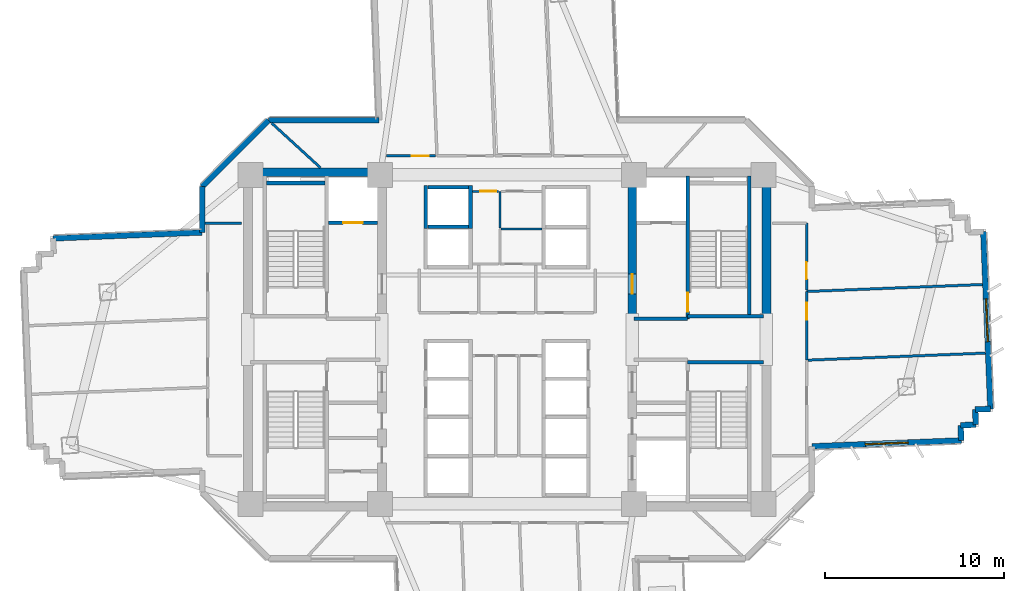
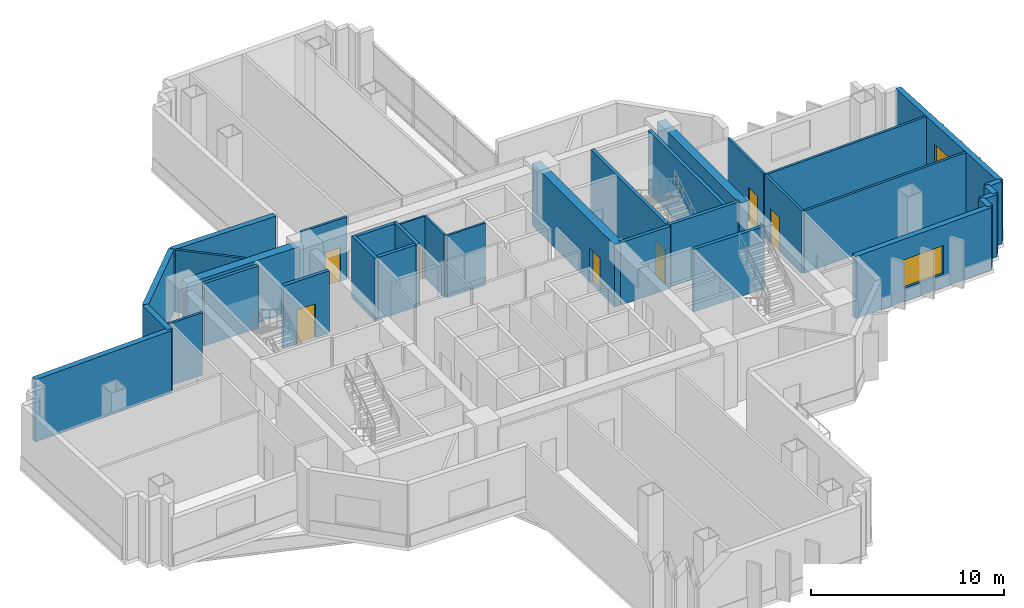
# One storey, part 9 of 16: 34 walls, 7 doors, 2 windows, 9 openings.
"""IFC4 building model written with IfcOpenShell, lengths in metres."""

from ifc_helpers import new_model, si_unit, direction, frame, frame_2d, origin, place, context, subcontext, project, spatial, rectangle, extrude, source, transform, mapped, material, layer, layer_set, type_object, element, fill, save


model = new_model("IFC4")

# Units and contexts
model_context = context("Model", 3, precision=1e-05, world=origin(), true_north=direction((0.0, 1.0)))
body_context = subcontext(model_context, "Body", "Model", "MODEL_VIEW")
ifc_project = project(units=[si_unit("LENGTHUNIT", "METRE"), si_unit("AREAUNIT", "SQUARE_METRE"), si_unit("VOLUMEUNIT", "CUBIC_METRE"), si_unit("PLANEANGLEUNIT", "RADIAN"), si_unit("MASSUNIT", "GRAM", prefix="KILO")], contexts=[model_context])

# Site, building, storey
site_placement = place(None, origin())
site = spatial("IfcSite", under=ifc_project, at=site_placement, CompositionType="ELEMENT")
building_placement = place(site_placement, origin())
building = spatial("IfcBuilding", under=site, at=building_placement, Name="Zahravan Cultural Tower", CompositionType="ELEMENT")
storey_placement = place(building_placement, frame((0.0, 0.0, 58.5)))
storey = spatial("IfcBuildingStorey", under=building, at=storey_placement, Name="L12", CompositionType="ELEMENT", Elevation=58.5)

# Wall, opening, door
ifc_material_1 = material(Name="Concrete C60/75", Category="concrete")
ifc_layer_1 = layer(ifc_material_1, 0.5)
ifc_layer_set_1 = layer_set([ifc_layer_1], Name="Concrete C60/75")
wall_type_1 = type_object("IfcWallType", Name="CW-SHEAR-500-C60", PredefinedType="SHEAR", material=ifc_layer_set_1)
wall_1_placement = place(storey_placement, frame((43.0, 28.050048828125, 0.0), z_axis=(0.0, 0.0, 1.0), x_axis=(0.0, 1.0, 0.0)))
wall_1 = element("IfcWall", 1, at=wall_1_placement, inside=storey, type_object=wall_type_1, Name="L12 Core Shear Wall CW-E-WN-L12", PredefinedType="SHEAR", context=body_context, shape_type="SweptSolid", body=[
    extrude(rectangle(XDim=8.550048828125, YDim=0.5, at=frame_2d((4.27490234375, 0.0))), origin(), (0.0, 0.0, 1.0), 3.949951171875),
])
opening_1_placement = place(wall_1_placement, frame((1.5, 0.0, 0.0)))
opening_1 = element("IfcOpeningElement", 2, at=opening_1_placement, cuts=wall_1, Name="Opening D-L12-06", PredefinedType="OPENING", context=body_context, shape_type="SweptSolid", body=[
    extrude(rectangle(XDim=1.10009765625, YDim=2.199951171875, at=frame_2d((0.550048828125, 1.10009765625))), frame((0.0, 0.260009765625, 0.0), z_axis=(0.0, -1.0, 0.0), x_axis=(1.0, 0.0, 0.0)), (0.0, 0.0, 1.0), 0.52001953125),
])
ifc_material_2 = material(Name="Steel ASTM A572 Grade 50", Category="steel")
door_type_1 = type_object("IfcDoorType", Name="DR-LOBBY-1100", OperationType="NOTDEFINED", PredefinedType="DOOR", material=ifc_material_2)
shared_shape_1 = source(origin(), body_context, "Body", "SweptSolid", [
    extrude(rectangle(XDim=1.10009765625, YDim=2.199951171875, at=frame_2d((0.550048828125, 1.10009765625))), frame((0.0, 0.02490234375, 0.0), z_axis=(0.0, -1.0, 0.0), x_axis=(1.0, 0.0, 0.0)), (0.0, 0.0, 1.0), 0.050048828125),
])
door_1_placement = place(opening_1_placement, origin())
door_1 = element("IfcDoor", 3, at=door_1_placement, inside=storey, type_object=door_type_1, Name="L12 Door D-L12-06", OperationType="SINGLE_SWING_LEFT", OverallHeight=2.199951171875, OverallWidth=1.10009765625, PredefinedType="DOOR", context=body_context, shape_type="MappedRepresentation", body=[
    mapped(shared_shape_1, transform((0.0, 0.0, 0.0), x_axis=(1.0, 0.0, 0.0), y_axis=(0.0, 1.0, 0.0), z_axis=(0.0, 0.0, 1.0), scale=1.0)),
])
fill(opening_1, door_1)

# Wall, opening, window
ifc_material_3 = material(Name="Precast concrete C40/50", Category="concrete")
ifc_layer_2 = layer(ifc_material_3, 0.320068359375)
ifc_layer_set_2 = layer_set([ifc_layer_2], Name="Precast concrete C40/50")
wall_type_2 = type_object("IfcWallType", Name="EW-TC-320", PredefinedType="SOLIDWALL", material=ifc_layer_set_2)
wall_2_placement = place(storey_placement, frame((62.641357421875, 33.024658203125, 0.0), z_axis=(0.0, 0.0, 1.0), x_axis=(0.03977146366, -0.999208802342, 0.0)))
wall_2 = element("IfcWall", 4, at=wall_2_placement, inside=storey, type_object=wall_type_2, Name="L12 Exterior Masonry Frame Wall 06", PredefinedType="SOLIDWALL", context=body_context, shape_type="SweptSolid", body=[
    extrude(rectangle(XDim=9.919921875, YDim=0.320068359375, at=frame_2d((4.9599609375, 0.0))), origin(), (0.0, 0.0, 1.0), 3.949951171875),
])
opening_2_placement = place(wall_2_placement, frame((3.760009765625, 0.0, 0.85009765625)))
opening_2 = element("IfcOpeningElement", 5, at=opening_2_placement, cuts=wall_2, Name="Opening WN-01", PredefinedType="OPENING", context=body_context, shape_type="SweptSolid", body=[
    extrude(rectangle(XDim=2.39990234375, YDim=1.800048828125, at=frame_2d((1.199951171875, 0.89990234375))), frame((0.0, 0.169921875, 0.0), z_axis=(0.0, -1.0, 0.0), x_axis=(1.0, 0.0, 0.0)), (0.0, 0.0, 1.0), 0.340087890625),
])
ifc_material_4 = material(Name="Low-E solar-control double glazing", Category="glass")
window_type = type_object("IfcWindowType", Name="WN-REC-2400X1800", PartitioningType="DOUBLE_PANEL_VERTICAL", PredefinedType="WINDOW", material=ifc_material_4)
shared_shape_2 = source(origin(), body_context, "Body", "SweptSolid", [
    extrude(rectangle(XDim=2.39990234375, YDim=1.800048828125, at=frame_2d((1.199951171875, 0.89990234375))), frame((0.0, 0.030029296875, 0.0), z_axis=(0.0, -1.0, 0.0), x_axis=(1.0, 0.0, 0.0)), (0.0, 0.0, 1.0), 0.06005859375),
])
window_1_placement = place(opening_2_placement, origin())
window_1 = element("IfcWindow", 6, at=window_1_placement, inside=storey, type_object=window_type, Name="L12 Recessed Solar Window 02", OverallHeight=1.800048828125, OverallWidth=2.39990234375, PartitioningType="DOUBLE_PANEL_VERTICAL", PredefinedType="WINDOW", context=body_context, shape_type="MappedRepresentation", body=[
    mapped(shared_shape_2, transform((0.0, 0.0, 0.0), x_axis=(1.0, 0.0, 0.0), y_axis=(0.0, 1.0, 0.0), z_axis=(0.0, 0.0, 1.0), scale=1.0)),
])
fill(opening_2, window_1)

wall_3_placement = place(storey_placement, frame((61.405029296875, 21.34619140625, 0.0), z_axis=(0.0, 0.0, 1.0), x_axis=(-0.999208226989, -0.039785916063, 0.0)))
wall_3 = element("IfcWall", 7, at=wall_3_placement, inside=storey, type_object=wall_type_2, Name="L12 Exterior Masonry Frame Wall 11", PredefinedType="SOLIDWALL", context=body_context, shape_type="SweptSolid", body=[
    extrude(rectangle(XDim=8.3515625, YDim=0.320068359375, at=frame_2d((4.17578125, 0.0))), origin(), (0.0, 0.0, 1.0), 3.949951171875),
])
opening_3_placement = place(wall_3_placement, frame((2.97607421875, 0.0, 0.85009765625)))
opening_3 = element("IfcOpeningElement", 8, at=opening_3_placement, cuts=wall_3, Name="Opening WN-01", PredefinedType="OPENING", context=body_context, shape_type="SweptSolid", body=[
    extrude(rectangle(XDim=2.39990234375, YDim=1.800048828125, at=frame_2d((1.199951171875, 0.89990234375))), frame((0.0, 0.169921875, 0.0), z_axis=(0.0, -1.0, 0.0), x_axis=(1.0, 0.0, 0.0)), (0.0, 0.0, 1.0), 0.340087890625),
])
window_2_placement = place(opening_3_placement, origin())
window_2 = element("IfcWindow", 9, at=window_2_placement, inside=storey, type_object=window_type, Name="L12 Recessed Solar Window 03", OverallHeight=1.800048828125, OverallWidth=2.39990234375, PartitioningType="DOUBLE_PANEL_VERTICAL", PredefinedType="WINDOW", context=body_context, shape_type="MappedRepresentation", body=[
    mapped(shared_shape_2, transform((0.0, 0.0, 0.0), x_axis=(1.0, 0.0, 0.0), y_axis=(0.0, 1.0, 0.0), z_axis=(0.0, 0.0, 1.0), scale=1.0)),
])
fill(opening_3, window_2)

# Wall, opening, door
ifc_material_5 = material(Name="Gypsum plasterboard partition")
ifc_layer_3 = layer(ifc_material_5, 0.139892578125)
ifc_layer_set_3 = layer_set([ifc_layer_3], Name="Gypsum plasterboard partition")
wall_type_3 = type_object("IfcWallType", Name="W-PART-140", PredefinedType="PARTITIONING", material=ifc_layer_set_3)
wall_4_placement = place(storey_placement, frame((52.75, 25.83544921875, 0.0), z_axis=(0.0, 0.0, 1.0), x_axis=(0.0, 1.0, 0.0)))
wall_4 = element("IfcWall", 10, at=wall_4_placement, inside=storey, type_object=wall_type_3, Name="L12 Interior Wall 091", PredefinedType="PARTITIONING", context=body_context, shape_type="SweptSolid", body=[
    extrude(rectangle(XDim=3.843017578125, YDim=0.139892578125, at=frame_2d((1.92138671875, 0.0))), origin(), (0.0, 0.0, 1.0), 3.949951171875),
])
opening_4_placement = place(wall_4_placement, frame((2.256591796875, 0.0, 0.0)))
opening_4 = element("IfcOpeningElement", 11, at=opening_4_placement, cuts=wall_4, Name="Opening D-L12-22", PredefinedType="OPENING", context=body_context, shape_type="SweptSolid", body=[
    extrude(rectangle(XDim=0.949951171875, YDim=2.14990234375, at=frame_2d((0.47509765625, 1.074951171875))), frame((0.0, 0.079833984375, 0.0), z_axis=(0.0, -1.0, 0.0), x_axis=(1.0, 0.0, 0.0)), (0.0, 0.0, 1.0), 0.159912109375),
])
ifc_material_6 = material(Name="Anodised bronze-aluminium mullion", Category="aluminium")
door_type_2 = type_object("IfcDoorType", Name="DR-ROOM-950", OperationType="NOTDEFINED", PredefinedType="DOOR", material=ifc_material_6)
shared_shape_3 = source(origin(), body_context, "Body", "SweptSolid", [
    extrude(rectangle(XDim=0.949951171875, YDim=2.14990234375, at=frame_2d((0.47509765625, 1.074951171875))), frame((0.0, 0.02490234375, 0.0), z_axis=(0.0, -1.0, 0.0), x_axis=(1.0, 0.0, 0.0)), (0.0, 0.0, 1.0), 0.050048828125),
])
door_2_placement = place(opening_4_placement, origin())
door_2 = element("IfcDoor", 12, at=door_2_placement, inside=storey, type_object=door_type_2, Name="L12 Door D-L12-22", OperationType="SINGLE_SWING_LEFT", OverallHeight=2.14990234375, OverallWidth=0.949951171875, PredefinedType="DOOR", context=body_context, shape_type="MappedRepresentation", body=[
    mapped(shared_shape_3, transform((0.0, 0.0, 0.0), x_axis=(1.0, 0.0, 0.0), y_axis=(0.0, 1.0, 0.0), z_axis=(0.0, 0.0, 1.0), scale=1.0)),
])
fill(opening_4, door_2)

wall_5_placement = place(storey_placement, frame((32.003662109375, 37.260009765625, 0.0), z_axis=(0.0, 0.0, 1.0), x_axis=(-0.999999996048, -8.8904694e-05, 0.0)))
wall_5 = element("IfcWall", 13, at=wall_5_placement, inside=storey, type_object=wall_type_3, Name="L12 Interior Wall 112", PredefinedType="PARTITIONING", context=body_context, shape_type="SweptSolid", body=[
    extrude(rectangle(XDim=2.74609375, YDim=0.139892578125, at=frame_2d((1.373046875, 0.0))), origin(), (0.0, 0.0, 1.0), 3.949951171875),
])
opening_5_placement = place(wall_5_placement, frame((0.39501953125, 0.0, 0.0)))
opening_5 = element("IfcOpeningElement", 14, at=opening_5_placement, cuts=wall_5, Name="Opening D-L12-27", PredefinedType="OPENING", context=body_context, shape_type="SweptSolid", body=[
    extrude(rectangle(XDim=0.949951171875, YDim=2.14990234375, at=frame_2d((0.47509765625, 1.074951171875))), frame((0.0, 0.079833984375, 0.0), z_axis=(0.0, -1.0, 0.0), x_axis=(1.0, 0.0, 0.0)), (0.0, 0.0, 1.0), 0.159912109375),
])
door_3_placement = place(opening_5_placement, origin())
door_3 = element("IfcDoor", 15, at=door_3_placement, inside=storey, type_object=door_type_2, Name="L12 Door D-L12-27", OperationType="SINGLE_SWING_RIGHT", OverallHeight=2.14990234375, OverallWidth=0.949951171875, PredefinedType="DOOR", context=body_context, shape_type="MappedRepresentation", body=[
    mapped(shared_shape_3, transform((0.0, 0.0, 0.0), x_axis=(1.0, 0.0, 0.0), y_axis=(0.0, 1.0, 0.0), z_axis=(0.0, 0.0, 1.0), scale=1.0)),
])
fill(opening_5, door_3)

wall_6_placement = place(storey_placement, frame((52.75, 29.75341796875, 0.0), z_axis=(0.0, 0.0, 1.0), x_axis=(-0.000326030238, 0.999999946852, 0.0)))
wall_6 = element("IfcWall", 16, at=wall_6_placement, inside=storey, type_object=wall_type_3, Name="L12 Interior Wall 119", PredefinedType="PARTITIONING", context=body_context, shape_type="SweptSolid", body=[
    extrude(rectangle(XDim=3.744140625, YDim=0.139892578125, at=frame_2d((1.8720703125, 0.0))), origin(), (0.0, 0.0, 1.0), 3.949951171875),
])
opening_6_placement = place(wall_6_placement, frame((0.61474609375, 0.0, 0.0)))
opening_6 = element("IfcOpeningElement", 17, at=opening_6_placement, cuts=wall_6, Name="Opening D-L12-23", PredefinedType="OPENING", context=body_context, shape_type="SweptSolid", body=[
    extrude(rectangle(XDim=0.949951171875, YDim=2.14990234375, at=frame_2d((0.47509765625, 1.074951171875))), frame((0.0, 0.079833984375, 0.0), z_axis=(0.0, -1.0, 0.0), x_axis=(1.0, 0.0, 0.0)), (0.0, 0.0, 1.0), 0.159912109375),
])
door_4_placement = place(opening_6_placement, origin())
door_4 = element("IfcDoor", 18, at=door_4_placement, inside=storey, type_object=door_type_2, Name="L12 Door D-L12-23", OperationType="SINGLE_SWING_RIGHT", OverallHeight=2.14990234375, OverallWidth=0.949951171875, PredefinedType="DOOR", context=body_context, shape_type="MappedRepresentation", body=[
    mapped(shared_shape_3, transform((0.0, 0.0, 0.0), x_axis=(1.0, 0.0, 0.0), y_axis=(0.0, 1.0, 0.0), z_axis=(0.0, 0.0, 1.0), scale=1.0)),
])
fill(opening_6, door_4)

ifc_material_7 = material(Name="Concrete C45/55", Category="concrete")
ifc_layer_4 = layer(ifc_material_7, 0.199951171875)
ifc_layer_set_4 = layer_set([ifc_layer_4], Name="Concrete C45/55")
wall_type_4 = type_object("IfcWallType", Name="W-SHAFT-200", PredefinedType="SOLIDWALL", material=ifc_layer_set_4)
wall_7_placement = place(storey_placement, frame((46.10009765625, 28.14990234375, 0.0), z_axis=(0.0, 0.0, 1.0), x_axis=(0.0, 1.0, 0.0)))
wall_7 = element("IfcWall", 19, at=wall_7_placement, inside=storey, type_object=wall_type_4, Name="L12 Interior Wall 008", PredefinedType="SOLIDWALL", context=body_context, shape_type="SweptSolid", body=[
    extrude(rectangle(XDim=8.0, YDim=0.199951171875, at=frame_2d((4.0, 0.0))), origin(), (0.0, 0.0, 1.0), 3.949951171875),
])
opening_7_placement = place(wall_7_placement, frame((0.39990234375, 0.0, 0.0)))
opening_7 = element("IfcOpeningElement", 20, at=opening_7_placement, cuts=wall_7, Name="Opening D-L12-02", PredefinedType="OPENING", context=body_context, shape_type="SweptSolid", body=[
    extrude(rectangle(XDim=1.050048828125, YDim=2.14990234375, at=frame_2d((0.52490234375, 1.074951171875))), frame((0.0, 0.10986328125, 0.0), z_axis=(0.0, -1.0, 0.0), x_axis=(1.0, 0.0, 0.0)), (0.0, 0.0, 1.0), 0.219970703125),
])
door_type_3 = type_object("IfcDoorType", Name="DR-STAIR-1050", OperationType="NOTDEFINED", PredefinedType="DOOR", material=ifc_material_2)
shared_shape_4 = source(origin(), body_context, "Body", "SweptSolid", [
    extrude(rectangle(XDim=1.050048828125, YDim=2.14990234375, at=frame_2d((0.52490234375, 1.074951171875))), frame((0.0, 0.02490234375, 0.0), z_axis=(0.0, -1.0, 0.0), x_axis=(1.0, 0.0, 0.0)), (0.0, 0.0, 1.0), 0.050048828125),
])
door_5_placement = place(opening_7_placement, origin())
door_5 = element("IfcDoor", 21, at=door_5_placement, inside=storey, type_object=door_type_3, Name="L12 Door D-L12-02", OperationType="SINGLE_SWING_LEFT", OverallHeight=2.14990234375, OverallWidth=1.050048828125, PredefinedType="DOOR", context=body_context, shape_type="MappedRepresentation", body=[
    mapped(shared_shape_4, transform((0.0, 0.0, 0.0), x_axis=(1.0, 0.0, 0.0), y_axis=(0.0, 1.0, 0.0), z_axis=(0.0, 0.0, 1.0), scale=1.0)),
])
fill(opening_7, door_5)

wall_8_placement = place(storey_placement, frame((26.0, 33.52001953125, 0.0), z_axis=(0.0, 0.0, 1.0), x_axis=(1.0, 0.0, 0.0)))
wall_8 = element("IfcWall", 22, at=wall_8_placement, inside=storey, type_object=wall_type_4, Name="L12 Interior Wall 021", PredefinedType="SOLIDWALL", context=body_context, shape_type="SweptSolid", body=[
    extrude(rectangle(XDim=2.75, YDim=0.199951171875, at=frame_2d((1.375, 0.0))), origin(), (0.0, 0.0, 1.0), 3.949951171875),
])
opening_8_placement = place(wall_8_placement, frame((0.820068359375, 0.0, 0.0)))
opening_8 = element("IfcOpeningElement", 23, at=opening_8_placement, cuts=wall_8, Name="Opening LD-L12-01", PredefinedType="OPENING", context=body_context, shape_type="SweptSolid", body=[
    extrude(rectangle(XDim=1.10009765625, YDim=2.14990234375, at=frame_2d((0.550048828125, 1.074951171875))), frame((0.0, 0.10986328125, 0.0), z_axis=(0.0, -1.0, 0.0), x_axis=(1.0, 0.0, 0.0)), (0.0, 0.0, 1.0), 0.219970703125),
])
door_type_4 = type_object("IfcDoorType", Name="DR-LIFT-1100", OperationType="DOUBLE_DOOR_SLIDING", PredefinedType="DOOR", material=ifc_material_2)
shared_shape_5 = source(origin(), body_context, "Body", "SweptSolid", [
    extrude(rectangle(XDim=1.10009765625, YDim=2.14990234375, at=frame_2d((0.550048828125, 1.074951171875))), frame((0.0, 0.02490234375, 0.0), z_axis=(0.0, -1.0, 0.0), x_axis=(1.0, 0.0, 0.0)), (0.0, 0.0, 1.0), 0.050048828125),
])
door_6_placement = place(opening_8_placement, origin())
door_6 = element("IfcDoor", 24, at=door_6_placement, inside=storey, type_object=door_type_4, Name="L12 Door LD-L12-01", OperationType="DOUBLE_DOOR_SLIDING", OverallHeight=2.14990234375, OverallWidth=1.10009765625, PredefinedType="DOOR", context=body_context, shape_type="MappedRepresentation", body=[
    mapped(shared_shape_5, transform((0.0, 0.0, 0.0), x_axis=(1.0, 0.0, 0.0), y_axis=(0.0, 1.0, 0.0), z_axis=(0.0, 0.0, 1.0), scale=1.0)),
])
fill(opening_8, door_6)

ifc_layer_5 = layer(ifc_material_5, 0.114990234375)
ifc_layer_set_5 = layer_set([ifc_layer_5], Name="Gypsum plasterboard partition")
wall_type_5 = type_object("IfcWallType", Name="W-WC-115", PredefinedType="PARTITIONING", material=ifc_layer_set_5)
wall_9_placement = place(storey_placement, frame((34.054931640625, 35.280029296875, 0.0), z_axis=(0.0, 0.0, 1.0), x_axis=(1.0, 0.0, 0.0)))
wall_9 = element("IfcWall", 25, at=wall_9_placement, inside=storey, type_object=wall_type_5, Name="L12 Interior Wall 075", PredefinedType="PARTITIONING", context=body_context, shape_type="SweptSolid", body=[
    extrude(rectangle(XDim=1.47265625, YDim=0.114990234375, at=frame_2d((0.736328125, 0.0))), origin(), (0.0, 0.0, 1.0), 3.949951171875),
])
opening_9_placement = place(wall_9_placement, frame((0.4326171875, 0.0, 0.0)))
opening_9 = element("IfcOpeningElement", 26, at=opening_9_placement, cuts=wall_9, Name="Opening D-L12-13", PredefinedType="OPENING", context=body_context, shape_type="SweptSolid", body=[
    extrude(rectangle(XDim=0.89990234375, YDim=2.10009765625, at=frame_2d((0.449951171875, 1.050048828125))), frame((0.0, 0.0673828125, 0.0), z_axis=(0.0, -1.0, 0.0), x_axis=(1.0, 0.0, 0.0)), (0.0, 0.0, 1.0), 0.135009765625),
])
door_type_5 = type_object("IfcDoorType", Name="DR-WC-900", OperationType="NOTDEFINED", PredefinedType="DOOR", material=ifc_material_6)
shared_shape_6 = source(origin(), body_context, "Body", "SweptSolid", [
    extrude(rectangle(XDim=0.89990234375, YDim=2.10009765625, at=frame_2d((0.449951171875, 1.050048828125))), frame((0.0, 0.02490234375, 0.0), z_axis=(0.0, -1.0, 0.0), x_axis=(1.0, 0.0, 0.0)), (0.0, 0.0, 1.0), 0.050048828125),
])
door_7_placement = place(opening_9_placement, origin())
door_7 = element("IfcDoor", 27, at=door_7_placement, inside=storey, type_object=door_type_5, Name="L12 Door D-L12-13", OperationType="SINGLE_SWING_RIGHT", OverallHeight=2.10009765625, OverallWidth=0.89990234375, PredefinedType="DOOR", context=body_context, shape_type="MappedRepresentation", body=[
    mapped(shared_shape_6, transform((0.0, 0.0, 0.0), x_axis=(1.0, 0.0, 0.0), y_axis=(0.0, 1.0, 0.0), z_axis=(0.0, 0.0, 1.0), scale=1.0)),
])
fill(opening_9, door_7)

# Walls
shared_shape_7 = source(origin(), body_context, "Body", "SweptSolid", [
    extrude(rectangle(XDim=8.550048828125, YDim=0.5, at=frame_2d((4.27490234375, 0.0))), origin(), (0.0, 0.0, 1.0), 3.949951171875),
])
wall_10_placement = place(storey_placement, frame((50.5, 28.050048828125, 0.0), z_axis=(0.0, 0.0, 1.0), x_axis=(0.0, 1.0, 0.0)))
element("IfcWall", 28, at=wall_10_placement, inside=storey, type_object=wall_type_1, Name="L12 Core Shear Wall CW-E-EN-L12", PredefinedType="SHEAR", context=body_context, shape_type="MappedRepresentation", body=[
    mapped(shared_shape_7, transform((0.0, 0.0, 0.0), x_axis=(1.0, 0.0, 0.0), y_axis=(0.0, 1.0, 0.0), z_axis=(0.0, 0.0, 1.0), scale=1.0)),
])
shared_shape_8 = source(origin(), body_context, "Body", "SweptSolid", [
    extrude(rectangle(XDim=7.0, YDim=0.5, at=frame_2d((3.5, 0.0))), origin(), (0.0, 0.0, 1.0), 3.949951171875),
])
wall_11_placement = place(storey_placement, frame((21.75, 36.35009765625, 0.0), z_axis=(0.0, 0.0, 1.0), x_axis=(1.0, 0.0, 0.0)))
element("IfcWall", 29, at=wall_11_placement, inside=storey, type_object=wall_type_1, Name="L12 Core Shear Wall CW-W-N-L12", PredefinedType="SHEAR", context=body_context, shape_type="MappedRepresentation", body=[
    mapped(shared_shape_8, transform((0.0, 0.0, 0.0), x_axis=(1.0, 0.0, 0.0), y_axis=(0.0, 1.0, 0.0), z_axis=(0.0, 0.0, 1.0), scale=1.0)),
])
shared_shape_9 = source(origin(), body_context, "Body", "SweptSolid", [
    extrude(rectangle(XDim=0.849853515625, YDim=0.320068359375, at=frame_2d((0.4248046875, 0.0))), origin(), (0.0, 0.0, 1.0), 3.949951171875),
])
wall_12_placement = place(storey_placement, frame((63.035888671875, 23.112548828125, 0.0), z_axis=(0.0, 0.0, 1.0), x_axis=(-0.999202334929, -0.039933618331, 0.0)))
element("IfcWall", 30, at=wall_12_placement, inside=storey, type_object=wall_type_2, Name="L12 Exterior Masonry Frame Wall 07", PredefinedType="SOLIDWALL", context=body_context, shape_type="MappedRepresentation", body=[
    mapped(shared_shape_9, transform((0.0, 0.0, 0.0), x_axis=(1.0, 0.0, 0.0), y_axis=(0.0, 1.0, 0.0), z_axis=(0.0, 0.0, 1.0), scale=1.0)),
])
shared_shape_10 = source(origin(), body_context, "Body", "SweptSolid", [
    extrude(rectangle(XDim=0.85009765625, YDim=0.320068359375, at=frame_2d((0.425048828125, 0.0))), origin(), (0.0, 0.0, 1.0), 3.949951171875),
])
for number, where, z_axis, x_axis, name in (
    (31, (62.186767578125, 23.07861328125, 0.0), (0.0, 0.0, 1.0), (0.039635401209, -0.999214208752, 0.0), "L12 Exterior Masonry Frame Wall 08"),
    (32, (62.220458984375, 22.229248046875, 0.0), (0.0, 0.0, 1.0), (-0.999214208752, -0.039635401209, 0.0), "L12 Exterior Masonry Frame Wall 09"),
    (33, (61.37109375, 22.195556640625, 0.0), (0.0, 0.0, 1.0), (0.039922158152, -0.999202792875, 0.0), "L12 Exterior Masonry Frame Wall 10"),
):
    element("IfcWall", number, at=place(storey_placement, frame(where, z_axis=z_axis, x_axis=x_axis)), inside=storey, type_object=wall_type_2, Name=name, PredefinedType="SOLIDWALL", context=body_context, shape_type="MappedRepresentation", body=[
        mapped(shared_shape_10, transform((0.0, 0.0, 0.0), x_axis=(1.0, 0.0, 0.0), y_axis=(0.0, 1.0, 0.0), z_axis=(0.0, 0.0, 1.0), scale=1.0)),
    ])
shared_shape_11 = source(origin(), body_context, "Body", "SweptSolid", [
    extrude(rectangle(XDim=5.258056640625, YDim=0.320068359375, at=frame_2d((2.62890625, 0.0))), origin(), (0.0, 0.0, 1.0), 3.949951171875),
])
wall_13_placement = place(storey_placement, frame((18.93994140625, 35.5419921875, 0.0), z_axis=(0.0, 0.0, 1.0), x_axis=(0.707106781187, 0.707106781187, 0.0)))
element("IfcWall", 34, at=wall_13_placement, inside=storey, type_object=wall_type_2, Name="L12 Exterior Masonry Frame Wall 40", PredefinedType="SOLIDWALL", context=body_context, shape_type="MappedRepresentation", body=[
    mapped(shared_shape_11, transform((0.0, 0.0, 0.0), x_axis=(1.0, 0.0, 0.0), y_axis=(0.0, 1.0, 0.0), z_axis=(0.0, 0.0, 1.0), scale=1.0)),
])
shared_shape_12 = source(origin(), body_context, "Body", "SweptSolid", [
    extrude(rectangle(XDim=2.555908203125, YDim=0.320068359375, at=frame_2d((1.27783203125, 0.0))), origin(), (0.0, 0.0, 1.0), 3.949951171875),
])
wall_14_placement = place(storey_placement, frame((18.93994140625, 32.986083984375, 0.0), z_axis=(0.0, 0.0, 1.0), x_axis=(0.0, 1.0, 0.0)))
element("IfcWall", 35, at=wall_14_placement, inside=storey, type_object=wall_type_2, Name="L12 Exterior Masonry Frame Wall 39", PredefinedType="SOLIDWALL", context=body_context, shape_type="MappedRepresentation", body=[
    mapped(shared_shape_12, transform((0.0, 0.0, 0.0), x_axis=(1.0, 0.0, 0.0), y_axis=(0.0, 1.0, 0.0), z_axis=(0.0, 0.0, 1.0), scale=1.0)),
])
shared_shape_13 = source(origin(), body_context, "Body", "SweptSolid", [
    extrude(rectangle(XDim=8.3515625, YDim=0.320068359375, at=frame_2d((4.17578125, 0.0))), origin(), (0.0, 0.0, 1.0), 3.949951171875),
])
wall_15_placement = place(storey_placement, frame((10.594970703125, 32.65380859375, 0.0), z_axis=(0.0, 0.0, 1.0), x_axis=(0.999208226989, 0.039785916063, 0.0)))
element("IfcWall", 36, at=wall_15_placement, inside=storey, type_object=wall_type_2, Name="L12 Exterior Masonry Frame Wall 38", PredefinedType="SOLIDWALL", context=body_context, shape_type="MappedRepresentation", body=[
    mapped(shared_shape_13, transform((0.0, 0.0, 0.0), x_axis=(1.0, 0.0, 0.0), y_axis=(0.0, 1.0, 0.0), z_axis=(0.0, 0.0, 1.0), scale=1.0)),
])
shared_shape_14 = source(origin(), body_context, "Body", "SweptSolid", [
    extrude(rectangle(XDim=6.188720703125, YDim=0.320068359375, at=frame_2d((3.09423828125, 0.0))), origin(), (0.0, 0.0, 1.0), 3.949951171875),
])
wall_16_placement = place(storey_placement, frame((22.657958984375, 39.260009765625, 0.0), z_axis=(0.0, 0.0, 1.0), x_axis=(1.0, 0.0, 0.0)))
element("IfcWall", 37, at=wall_16_placement, inside=storey, type_object=wall_type_2, Name="L12 Exterior Masonry Frame Wall 41", PredefinedType="SOLIDWALL", context=body_context, shape_type="MappedRepresentation", body=[
    mapped(shared_shape_14, transform((0.0, 0.0, 0.0), x_axis=(1.0, 0.0, 0.0), y_axis=(0.0, 1.0, 0.0), z_axis=(0.0, 0.0, 1.0), scale=1.0)),
])
shared_shape_15 = source(origin(), body_context, "Body", "SweptSolid", [
    extrude(rectangle(XDim=7.869873046875, YDim=0.199951171875, at=frame_2d((3.93505859375, 0.0))), origin(), (0.0, 0.0, 1.0), 3.949951171875),
])
wall_17_placement = place(storey_placement, frame((49.550048828125, 28.280029296875, 0.0), z_axis=(0.0, 0.0, 1.0), x_axis=(0.0, 1.0, 0.0)))
element("IfcWall", 38, at=wall_17_placement, inside=storey, type_object=wall_type_4, Name="L12 Interior Wall 004", PredefinedType="SOLIDWALL", context=body_context, shape_type="MappedRepresentation", body=[
    mapped(shared_shape_15, transform((0.0, 0.0, 0.0), x_axis=(1.0, 0.0, 0.0), y_axis=(0.0, 1.0, 0.0), z_axis=(0.0, 0.0, 1.0), scale=1.0)),
])
shared_shape_16 = source(origin(), body_context, "Body", "SweptSolid", [
    extrude(rectangle(XDim=4.25, YDim=0.199951171875, at=frame_2d((2.125, 0.0))), origin(), (0.0, 0.0, 1.0), 3.949951171875),
])
for number, where, z_axis, x_axis, name in (
    (39, (46.10009765625, 25.715087890625, 0.0), (0.0, 0.0, 1.0), (1.0, 0.0, 0.0), "L12 Interior Wall 014"),
    (40, (46.10009765625, 28.284912109375, 0.0), (0.0, 0.0, 1.0), (1.0, 0.0, 0.0), "L12 Interior Wall 016"),
):
    element("IfcWall", number, at=place(storey_placement, frame(where, z_axis=z_axis, x_axis=x_axis)), inside=storey, type_object=wall_type_4, Name=name, PredefinedType="SOLIDWALL", context=body_context, shape_type="MappedRepresentation", body=[
        mapped(shared_shape_16, transform((0.0, 0.0, 0.0), x_axis=(1.0, 0.0, 0.0), y_axis=(0.0, 1.0, 0.0), z_axis=(0.0, 0.0, 1.0), scale=1.0)),
    ])
shared_shape_17 = source(origin(), body_context, "Body", "SweptSolid", [
    extrude(rectangle(XDim=3.0, YDim=0.199951171875, at=frame_2d((1.5, 0.0))), origin(), (0.0, 0.0, 1.0), 3.949951171875),
])
wall_18_placement = place(storey_placement, frame((43.10009765625, 28.14990234375, 0.0), z_axis=(0.0, 0.0, 1.0), x_axis=(1.0, 0.0, 0.0)))
element("IfcWall", 41, at=wall_18_placement, inside=storey, type_object=wall_type_4, Name="L12 Interior Wall 015", PredefinedType="SOLIDWALL", context=body_context, shape_type="MappedRepresentation", body=[
    mapped(shared_shape_17, transform((0.0, 0.0, 0.0), x_axis=(1.0, 0.0, 0.0), y_axis=(0.0, 1.0, 0.0), z_axis=(0.0, 0.0, 1.0), scale=1.0)),
])
shared_shape_18 = source(origin(), body_context, "Body", "SweptSolid", [
    extrude(rectangle(XDim=3.25, YDim=0.199951171875, at=frame_2d((1.625, 0.0))), origin(), (0.0, 0.0, 1.0), 3.949951171875),
])
wall_19_placement = place(storey_placement, frame((22.550048828125, 35.75, 0.0), z_axis=(0.0, 0.0, 1.0), x_axis=(1.0, 0.0, 0.0)))
element("IfcWall", 42, at=wall_19_placement, inside=storey, type_object=wall_type_4, Name="L12 Interior Wall 017", PredefinedType="SOLIDWALL", context=body_context, shape_type="MappedRepresentation", body=[
    mapped(shared_shape_18, transform((0.0, 0.0, 0.0), x_axis=(1.0, 0.0, 0.0), y_axis=(0.0, 1.0, 0.0), z_axis=(0.0, 0.0, 1.0), scale=1.0)),
])
shared_shape_19 = source(origin(), body_context, "Body", "SweptSolid", [
    extrude(rectangle(XDim=2.400146484375, YDim=0.199951171875, at=frame_2d((1.2001953125, 0.0))), origin(), (0.0, 0.0, 1.0), 3.949951171875),
])
for number, where, z_axis, x_axis, name in (
    (43, (31.449951171875, 33.199951171875, 0.0), (0.0, 0.0, 1.0), (0.0, 1.0, 0.0), "L12 Interior Wall 029"),
    (44, (33.949951171875, 33.199951171875, 0.0), (0.0, 0.0, 1.0), (0.0, 1.0, 0.0), "L12 Interior Wall 030"),
):
    element("IfcWall", number, at=place(storey_placement, frame(where, z_axis=z_axis, x_axis=x_axis)), inside=storey, type_object=wall_type_4, Name=name, PredefinedType="SOLIDWALL", context=body_context, shape_type="MappedRepresentation", body=[
        mapped(shared_shape_19, transform((0.0, 0.0, 0.0), x_axis=(1.0, 0.0, 0.0), y_axis=(0.0, 1.0, 0.0), z_axis=(0.0, 0.0, 1.0), scale=1.0)),
    ])
shared_shape_20 = source(origin(), body_context, "Body", "SweptSolid", [
    extrude(rectangle(XDim=2.260009765625, YDim=0.199951171875, at=frame_2d((1.1298828125, 0.0))), origin(), (0.0, 0.0, 1.0), 3.949951171875),
])
for number, where, z_axis, x_axis, name in (
    (45, (31.570068359375, 33.300048828125, 0.0), (0.0, 0.0, 1.0), (1.0, 0.0, 0.0), "L12 Interior Wall 031"),
    (46, (31.570068359375, 35.5, 0.0), (0.0, 0.0, 1.0), (1.0, 0.0, 0.0), "L12 Interior Wall 032"),
):
    element("IfcWall", number, at=place(storey_placement, frame(where, z_axis=z_axis, x_axis=x_axis)), inside=storey, type_object=wall_type_4, Name=name, PredefinedType="SOLIDWALL", context=body_context, shape_type="MappedRepresentation", body=[
        mapped(shared_shape_20, transform((0.0, 0.0, 0.0), x_axis=(1.0, 0.0, 0.0), y_axis=(0.0, 1.0, 0.0), z_axis=(0.0, 0.0, 1.0), scale=1.0)),
    ])
shared_shape_21 = source(origin(), body_context, "Body", "SweptSolid", [
    extrude(rectangle(XDim=2.0400390625, YDim=0.114990234375, at=frame_2d((1.02001953125, 0.0))), origin(), (0.0, 0.0, 1.0), 3.949951171875),
])
wall_20_placement = place(storey_placement, frame((35.590087890625, 33.239990234375, 0.0), z_axis=(0.0, 0.0, 1.0), x_axis=(0.0, 1.0, 0.0)))
element("IfcWall", 47, at=wall_20_placement, inside=storey, type_object=wall_type_5, Name="L12 Interior Wall 072", PredefinedType="PARTITIONING", context=body_context, shape_type="MappedRepresentation", body=[
    mapped(shared_shape_21, transform((0.0, 0.0, 0.0), x_axis=(1.0, 0.0, 0.0), y_axis=(0.0, 1.0, 0.0), z_axis=(0.0, 0.0, 1.0), scale=1.0)),
])
shared_shape_22 = source(origin(), body_context, "Body", "SweptSolid", [
    extrude(rectangle(XDim=2.29248046875, YDim=0.114990234375, at=frame_2d((1.146240234375, 0.0))), origin(), (0.0, 0.0, 1.0), 3.949951171875),
])
wall_21_placement = place(storey_placement, frame((35.652587890625, 33.179931640625, 0.0), z_axis=(0.0, 0.0, 1.0), x_axis=(1.0, 0.0, 0.0)))
element("IfcWall", 48, at=wall_21_placement, inside=storey, type_object=wall_type_5, Name="L12 Interior Wall 071", PredefinedType="PARTITIONING", context=body_context, shape_type="MappedRepresentation", body=[
    mapped(shared_shape_22, transform((0.0, 0.0, 0.0), x_axis=(1.0, 0.0, 0.0), y_axis=(0.0, 1.0, 0.0), z_axis=(0.0, 0.0, 1.0), scale=1.0)),
])
shared_shape_23 = source(origin(), body_context, "Body", "SweptSolid", [
    extrude(rectangle(XDim=9.850830078125, YDim=0.139892578125, at=frame_2d((4.92529296875, 0.0))), origin(), (0.0, 0.0, 1.0), 3.949951171875),
])
wall_22_placement = place(storey_placement, frame((52.7509765625, 29.678466796875, 0.0), z_axis=(0.0, 0.0, 1.0), x_axis=(0.999208542072, 0.039778002084, 0.0)))
element("IfcWall", 49, at=wall_22_placement, inside=storey, type_object=wall_type_3, Name="L12 Interior Wall 092", PredefinedType="PARTITIONING", context=body_context, shape_type="MappedRepresentation", body=[
    mapped(shared_shape_23, transform((0.0, 0.0, 0.0), x_axis=(1.0, 0.0, 0.0), y_axis=(0.0, 1.0, 0.0), z_axis=(0.0, 0.0, 1.0), scale=1.0)),
])
shared_shape_24 = source(origin(), body_context, "Body", "SweptSolid", [
    extrude(rectangle(XDim=9.929443359375, YDim=0.139892578125, at=frame_2d((4.96484375, 0.0))), origin(), (0.0, 0.0, 1.0), 3.949951171875),
])
wall_23_placement = place(storey_placement, frame((62.74658203125, 26.2333984375, 0.0), z_axis=(0.0, 0.0, 1.0), x_axis=(-0.999208364847, -0.039782453661, 0.0)))
element("IfcWall", 50, at=wall_23_placement, inside=storey, type_object=wall_type_3, Name="L12 Interior Wall 093", PredefinedType="PARTITIONING", context=body_context, shape_type="MappedRepresentation", body=[
    mapped(shared_shape_24, transform((0.0, 0.0, 0.0), x_axis=(1.0, 0.0, 0.0), y_axis=(0.0, 1.0, 0.0), z_axis=(0.0, 0.0, 1.0), scale=1.0)),
])
shared_shape_25 = source(origin(), body_context, "Body", "SweptSolid", [
    extrude(rectangle(XDim=3.68896484375, YDim=0.139892578125, at=frame_2d((1.844482421875, 0.0))), origin(), (0.0, 0.0, 1.0), 3.949951171875),
])
wall_24_placement = place(storey_placement, frame((25.556640625, 36.60498046875, 0.0), z_axis=(0.0, 0.0, 1.0), x_axis=(-0.737843279395, 0.674972069831, 0.0)))
element("IfcWall", 51, at=wall_24_placement, inside=storey, type_object=wall_type_3, Name="L12 Interior Wall 113", PredefinedType="PARTITIONING", context=body_context, shape_type="MappedRepresentation", body=[
    mapped(shared_shape_25, transform((0.0, 0.0, 0.0), x_axis=(1.0, 0.0, 0.0), y_axis=(0.0, 1.0, 0.0), z_axis=(0.0, 0.0, 1.0), scale=1.0)),
])
shared_shape_26 = source(origin(), body_context, "Body", "SweptSolid", [
    extrude(rectangle(XDim=2.04931640625, YDim=0.139892578125, at=frame_2d((1.024658203125, 0.0))), origin(), (0.0, 0.0, 1.0), 3.949951171875),
])
wall_25_placement = place(storey_placement, frame((21.1494140625, 33.49658203125, 0.0), z_axis=(0.0, 0.0, 1.0), x_axis=(-0.999999992904, -0.000119132713, 0.0)))
element("IfcWall", 52, at=wall_25_placement, inside=storey, type_object=wall_type_3, Name="L12 Interior Wall 115", PredefinedType="PARTITIONING", context=body_context, shape_type="MappedRepresentation", body=[
    mapped(shared_shape_26, transform((0.0, 0.0, 0.0), x_axis=(1.0, 0.0, 0.0), y_axis=(0.0, 1.0, 0.0), z_axis=(0.0, 0.0, 1.0), scale=1.0)),
])

save(model, "model.ifc")
